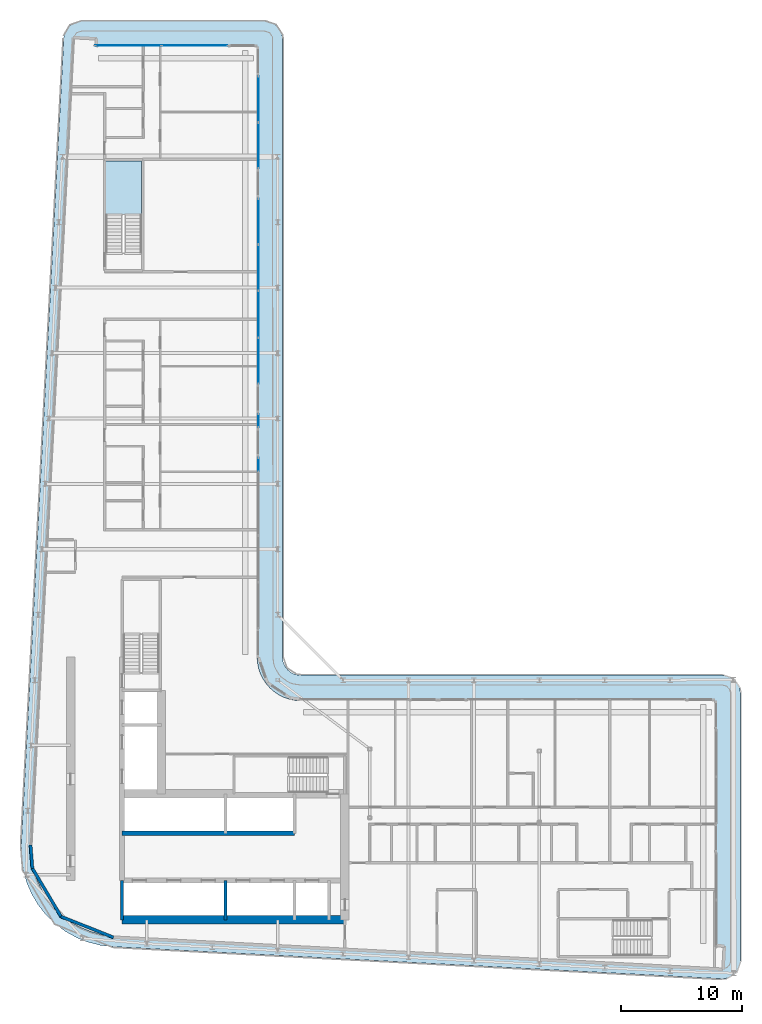
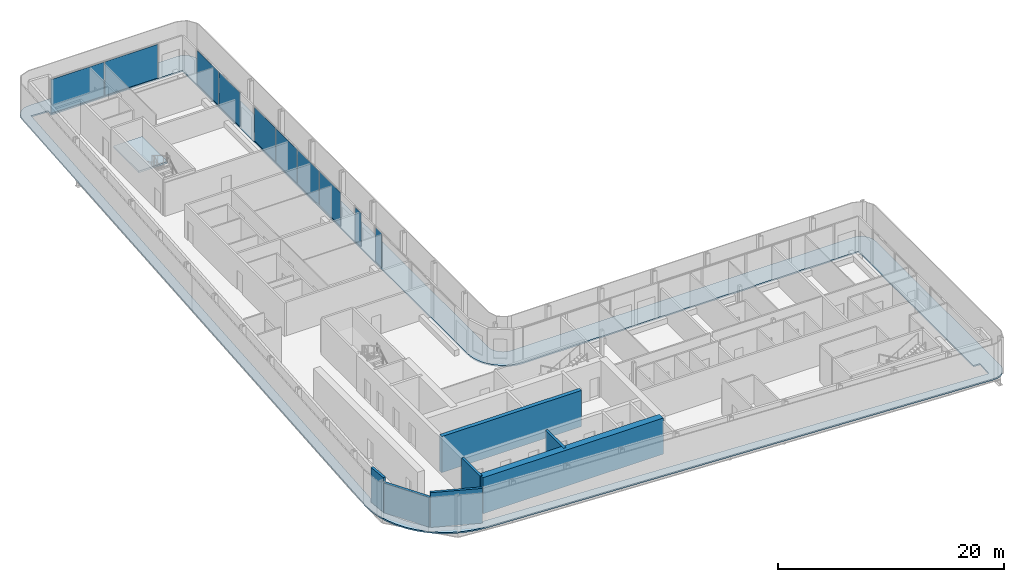
# One storey, part 9 of 22: 10 plates, 7 walls, 2 slabs, 7 elements without a shape of their own.
"""IFC4 building model written with IfcOpenShell, lengths in metres."""

from ifc_helpers import new_model, si_unit, direction, frame, frame_2d, origin, origin_2d, place, context, subcontext, project, spatial, polyline, rectangle, outline, extrude, material, layer, layer_set, type_object, element, aggregate, save


model = new_model("IFC4")

# Units and contexts
model_context = context("Model", 3, precision=1e-05, world=origin(), true_north=direction((0.0, 1.0)))
body_context = subcontext(model_context, "Body", "Model", "MODEL_VIEW")
ifc_project = project(units=[si_unit("LENGTHUNIT", "METRE"), si_unit("AREAUNIT", "SQUARE_METRE"), si_unit("VOLUMEUNIT", "CUBIC_METRE"), si_unit("PLANEANGLEUNIT", "RADIAN"), si_unit("MASSUNIT", "GRAM", prefix="KILO")], contexts=[model_context])

# Site, building, storey
site_placement = place(None, origin())
site = spatial("IfcSite", under=ifc_project, at=site_placement, CompositionType="ELEMENT")
building_placement = place(site_placement, origin())
building = spatial("IfcBuilding", under=site, at=building_placement, Name="Kheshtan School and Residences Tower", CompositionType="ELEMENT")
storey_placement = place(building_placement, frame((0.0, 0.0, 251.300048828125)))
storey = spatial("IfcBuildingStorey", under=building, at=storey_placement, Name="L59", CompositionType="ELEMENT", Elevation=251.300048828125)

# Curtain wall, plates
ifc_material_1 = material(Name="Clear low-e glass in thermally broken aluminium frame", Category="aluminium")
ifc_layer_1 = layer(ifc_material_1, 0.199951171875)
ifc_layer_set_1 = layer_set([ifc_layer_1], Name="Curtain wall CW-L")
curtain_wall_type = type_object("IfcCurtainWallType", Name="Curtain wall CW-L", PredefinedType="NOTDEFINED", material=ifc_layer_set_1)
curtain_wall_1_placement = place(storey_placement, origin())
curtain_wall_1 = element("IfcCurtainWall", 1, at=curtain_wall_1_placement, inside=storey, type_object=curtain_wall_type, Name="Curtain wall CWL7", PredefinedType="NOTDEFINED")
ifc_layer_2 = layer(ifc_material_1, 0.031982421875)
ifc_layer_set_2 = layer_set([ifc_layer_2], Name="CW-L glass panel")
plate_type = type_object("IfcPlateType", Name="CW-L glass panel", PredefinedType="CURTAIN_PANEL", material=ifc_layer_set_2)
plate_1_placement = place(storey_placement, frame((35.259033203125, 98.0, 0.0), z_axis=(0.0, 0.0, 1.0), x_axis=(1.0, 0.0, 0.0)))
plate_1 = element("IfcPlate", 2, at=plate_1_placement, type_object=plate_type, Name="CWL7 panel 1.1", PredefinedType="CURTAIN_PANEL", context=body_context, shape_type="SweptSolid", body=[
    extrude(rectangle(XDim=5.4140625, YDim=0.031982421875, at=origin_2d()), origin(), (0.0, 0.0, 1.0), 3.6298828125),
])
plate_2_placement = place(storey_placement, frame((40.73291015625, 98.0, 0.0), z_axis=(0.0, 0.0, 1.0), x_axis=(1.0, 0.0, 0.0)))
plate_2 = element("IfcPlate", 3, at=plate_2_placement, type_object=plate_type, Name="CWL7 panel 2.1", PredefinedType="CURTAIN_PANEL", context=body_context, shape_type="SweptSolid", body=[
    extrude(rectangle(XDim=5.4140625, YDim=0.031982421875, at=origin_2d()), origin(), (0.0, 0.0, 1.0), 3.6298828125),
])
aggregate(curtain_wall_1, [plate_1, plate_2])

curtain_wall_2_placement = place(storey_placement, origin())
curtain_wall_2 = element("IfcCurtainWall", 4, at=curtain_wall_2_placement, inside=storey, type_object=curtain_wall_type, Name="Curtain wall CWL8", PredefinedType="NOTDEFINED")
plate_3_placement = place(storey_placement, frame((46.0, 93.5615234375, 0.0), z_axis=(0.0, 0.0, 1.0), x_axis=(0.0, -1.0, 0.0)))
plate_3 = element("IfcPlate", 5, at=plate_3_placement, type_object=plate_type, Name="CWL8 panel 1.1", PredefinedType="CURTAIN_PANEL", context=body_context, shape_type="SweptSolid", body=[
    extrude(rectangle(XDim=3.757080078125, YDim=0.031982421875, at=origin_2d()), origin(), (0.0, 0.0, 1.0), 3.6298828125),
])
plate_4_placement = place(storey_placement, frame((46.0, 89.744384765625, 0.0), z_axis=(0.0, 0.0, 1.0), x_axis=(0.0, -1.0, 0.0)))
plate_4 = element("IfcPlate", 6, at=plate_4_placement, type_object=plate_type, Name="CWL8 panel 2.1", PredefinedType="CURTAIN_PANEL", context=body_context, shape_type="SweptSolid", body=[
    extrude(rectangle(XDim=3.757080078125, YDim=0.031982421875, at=origin_2d()), origin(), (0.0, 0.0, 1.0), 3.6298828125),
])
aggregate(curtain_wall_2, [plate_3, plate_4])

curtain_wall_3_placement = place(storey_placement, origin())
curtain_wall_3 = element("IfcCurtainWall", 7, at=curtain_wall_3_placement, inside=storey, type_object=curtain_wall_type, Name="Curtain wall CWL8", PredefinedType="NOTDEFINED")
plate_5_placement = place(storey_placement, frame((46.0, 83.467529296875, 0.0), z_axis=(0.0, 0.0, 1.0), x_axis=(0.0, -1.0, 0.0)))
plate_5 = element("IfcPlate", 8, at=plate_5_placement, type_object=plate_type, Name="CWL8 panel 1.1", PredefinedType="CURTAIN_PANEL", context=body_context, shape_type="SweptSolid", body=[
    extrude(rectangle(XDim=3.757080078125, YDim=0.031982421875, at=origin_2d()), origin(), (0.0, 0.0, 1.0), 3.6298828125),
])
plate_6_placement = place(storey_placement, frame((46.0, 79.650390625, 0.0), z_axis=(0.0, 0.0, 1.0), x_axis=(0.0, -1.0, 0.0)))
plate_6 = element("IfcPlate", 9, at=plate_6_placement, type_object=plate_type, Name="CWL8 panel 2.1", PredefinedType="CURTAIN_PANEL", context=body_context, shape_type="SweptSolid", body=[
    extrude(rectangle(XDim=3.757080078125, YDim=0.031982421875, at=origin_2d()), origin(), (0.0, 0.0, 1.0), 3.6298828125),
])
aggregate(curtain_wall_3, [plate_5, plate_6])

curtain_wall_4_placement = place(storey_placement, origin())
curtain_wall_4 = element("IfcCurtainWall", 10, at=curtain_wall_4_placement, inside=storey, type_object=curtain_wall_type, Name="Curtain wall CWL8", PredefinedType="NOTDEFINED")
plate_7_placement = place(storey_placement, frame((46.0, 75.803466796875, 0.0), z_axis=(0.0, 0.0, 1.0), x_axis=(0.0, -1.0, 0.0)))
plate_7 = element("IfcPlate", 11, at=plate_7_placement, type_object=plate_type, Name="CWL8 panel 1.1", PredefinedType="CURTAIN_PANEL", context=body_context, shape_type="SweptSolid", body=[
    extrude(rectangle(XDim=3.81689453125, YDim=0.031982421875, at=origin_2d()), origin(), (0.0, 0.0, 1.0), 3.6298828125),
])
plate_8_placement = place(storey_placement, frame((46.0, 71.95654296875, 0.0), z_axis=(0.0, 0.0, 1.0), x_axis=(0.0, -1.0, 0.0)))
plate_8 = element("IfcPlate", 12, at=plate_8_placement, type_object=plate_type, Name="CWL8 panel 2.1", PredefinedType="CURTAIN_PANEL", context=body_context, shape_type="SweptSolid", body=[
    extrude(rectangle(XDim=3.757080078125, YDim=0.031982421875, at=origin_2d()), origin(), (0.0, 0.0, 1.0), 3.6298828125),
])
aggregate(curtain_wall_4, [plate_7, plate_8])

# Curtain wall, plate
curtain_wall_5_placement = place(storey_placement, origin())
curtain_wall_5 = element("IfcCurtainWall", 13, at=curtain_wall_5_placement, inside=storey, type_object=curtain_wall_type, Name="Curtain wall CWL8g", PredefinedType="NOTDEFINED")
plate_9_placement = place(storey_placement, frame((46.0, 67.01806640625, 0.0), z_axis=(0.0, 0.0, 1.0), x_axis=(0.0, -1.0, 0.0)))
plate_9 = element("IfcPlate", 14, at=plate_9_placement, type_object=plate_type, Name="CWL8g panel 1.1", PredefinedType="CURTAIN_PANEL", context=body_context, shape_type="SweptSolid", body=[
    extrude(rectangle(XDim=1.080078125, YDim=0.031982421875, at=origin_2d()), origin(), (0.0, 0.0, 1.0), 3.6298828125),
])
aggregate(curtain_wall_5, [plate_9])

curtain_wall_6_placement = place(storey_placement, origin())
curtain_wall_6 = element("IfcCurtainWall", 15, at=curtain_wall_6_placement, inside=storey, type_object=curtain_wall_type, Name="Curtain wall CWL8k", PredefinedType="NOTDEFINED")
plate_10_placement = place(storey_placement, frame((46.0, 63.39404296875, 0.0), z_axis=(0.0, 0.0, 1.0), x_axis=(0.0, -1.0, 0.0)))
plate_10 = element("IfcPlate", 16, at=plate_10_placement, type_object=plate_type, Name="CWL8k panel 1.1", PredefinedType="CURTAIN_PANEL", context=body_context, shape_type="SweptSolid", body=[
    extrude(rectangle(XDim=1.1279296875, YDim=0.031982421875, at=origin_2d()), origin(), (0.0, 0.0, 1.0), 3.6298828125),
])
aggregate(curtain_wall_6, [plate_10])

# Slab
ifc_material_2 = material(Name="Concrete C40/50", Category="concrete")
ifc_layer_3 = layer(ifc_material_2, 0.14990234375)
ifc_layer_set_3 = layer_set([ifc_layer_3], Name="Loggia balcony slab 150 Concrete C40/50")
slab_type_1 = type_object("IfcSlabType", Name="Loggia balcony slab 150 Concrete C40/50", PredefinedType="FLOOR", material=ifc_layer_set_3)
slab_1_placement = place(storey_placement, frame((0.0, 0.0, -0.150146484375)))
element("IfcSlab", 17, at=slab_1_placement, inside=storey, type_object=slab_type_1, Name="Loggia balcony slab L59", PredefinedType="FLOOR", context=body_context, shape_type="SweptSolid", body=[
    extrude(outline(polyline([(28.4580078125, 26.222900390625), (28.45703125, 26.222900390625), (28.45703125, 26.22412109375), (28.4560546875, 26.22412109375), (27.81494140625, 27.0390625), (27.281005859375, 27.93798828125), (26.867919921875, 28.89990234375), (26.583984375, 29.89990234375), (26.583984375, 29.906982421875), (26.43408203125, 30.943115234375), (26.419921875, 31.989013671875), (29.925048828125, 98.5791015625), (29.930908203125, 98.626953125), (29.930908203125, 98.6279296875), (29.929931640625, 98.6279296875), (29.929931640625, 98.62890625), (29.928955078125, 98.62890625), (29.928955078125, 98.6298828125), (29.927978515625, 98.6298828125), (29.927978515625, 98.631103515625), (29.927001953125, 98.631103515625), (29.927001953125, 98.632080078125), (29.927001953125, 98.633056640625), (29.945068359375, 98.781005859375), (29.945068359375, 98.783935546875), (29.945068359375, 98.784912109375), (29.946044921875, 98.784912109375), (29.946044921875, 98.785888671875), (29.947021484375, 98.785888671875), (29.947021484375, 98.787109375), (29.947998046875, 98.787109375), (29.948974609375, 98.787109375), (29.948974609375, 98.7880859375), (29.949951171875, 98.7880859375), (29.949951171875, 98.7890625), (29.949951171875, 98.791015625), (30.0029296875, 98.98388671875), (30.083984375, 99.175048828125), (30.18896484375, 99.35302734375), (30.31103515625, 99.507080078125), (30.31201171875, 99.507080078125), (30.31201171875, 99.508056640625), (30.31298828125, 99.508056640625), (30.31298828125, 99.509033203125), (30.31396484375, 99.509033203125), (30.31396484375, 99.510009765625), (30.31494140625, 99.510009765625), (30.31494140625, 99.510986328125), (30.31591796875, 99.510986328125), (30.31591796875, 99.511962890625), (30.31689453125, 99.511962890625), (30.31689453125, 99.512939453125), (30.318115234375, 99.512939453125), (30.322021484375, 99.512939453125), (30.322998046875, 99.512939453125), (30.322998046875, 99.513916015625), (30.468017578125, 99.656982421875), (30.468994140625, 99.656982421875), (30.468994140625, 99.657958984375), (30.469970703125, 99.657958984375), (30.469970703125, 99.658935546875), (30.470947265625, 99.658935546875), (30.470947265625, 99.659912109375), (30.471923828125, 99.659912109375), (30.471923828125, 99.660888671875), (30.472900390625, 99.660888671875), (30.472900390625, 99.662109375), (30.47412109375, 99.662109375), (30.47412109375, 99.6630859375), (30.47509765625, 99.6630859375), (30.47509765625, 99.6640625), (30.635986328125, 99.777099609375), (30.820068359375, 99.873046875), (31.007080078125, 99.943115234375), (31.013916015625, 99.943115234375), (31.217041015625, 99.986083984375), (31.423095703125, 100.0), (46.5, 100.0), (46.696044921875, 99.987060546875), (46.887939453125, 99.948974609375), (46.89501953125, 99.948974609375), (47.073974609375, 99.885986328125), (47.242919921875, 99.801025390625), (47.243896484375, 99.801025390625), (47.2470703125, 99.801025390625), (47.248046875, 99.801025390625), (47.248046875, 99.802001953125), (47.2490234375, 99.802001953125), (47.2490234375, 99.802978515625), (47.25, 99.802978515625), (47.2529296875, 99.802978515625), (47.25390625, 99.802978515625), (47.25390625, 99.802001953125), (47.2548828125, 99.802001953125), (47.2548828125, 99.801025390625), (47.256103515625, 99.801025390625), (47.256103515625, 99.800048828125), (47.257080078125, 99.800048828125), (47.257080078125, 99.799072265625), (47.258056640625, 99.799072265625), (47.258056640625, 99.798095703125), (47.412109375, 99.696044921875), (47.4130859375, 99.696044921875), (47.4130859375, 99.695068359375), (47.4140625, 99.695068359375), (47.4140625, 99.694091796875), (47.4140625, 99.68994140625), (47.4140625, 99.68896484375), (47.4150390625, 99.68896484375), (47.4150390625, 99.68798828125), (47.416015625, 99.68798828125), (47.416015625, 99.68701171875), (47.4169921875, 99.68701171875), (47.4169921875, 99.68603515625), (47.554931640625, 99.568115234375), (47.554931640625, 99.56689453125), (47.555908203125, 99.56689453125), (47.555908203125, 99.56591796875), (47.556884765625, 99.56591796875), (47.556884765625, 99.56494140625), (47.55810546875, 99.56494140625), (47.55810546875, 99.56396484375), (47.55908203125, 99.56396484375), (47.55908203125, 99.56298828125), (47.56005859375, 99.56298828125), (47.56005859375, 99.56201171875), (47.56103515625, 99.56201171875), (47.56201171875, 99.56103515625), (47.56201171875, 99.56005859375), (47.56298828125, 99.56005859375), (47.56298828125, 99.55908203125), (47.56396484375, 99.55908203125), (47.56396484375, 99.55810546875), (47.56494140625, 99.55810546875), (47.56494140625, 99.556884765625), (47.56591796875, 99.556884765625), (47.56591796875, 99.555908203125), (47.56689453125, 99.555908203125), (47.56689453125, 99.554931640625), (47.568115234375, 99.554931640625), (47.68505859375, 99.41796875), (47.68603515625, 99.41796875), (47.68603515625, 99.4169921875), (47.68701171875, 99.4169921875), (47.68701171875, 99.416015625), (47.68798828125, 99.416015625), (47.68798828125, 99.4150390625), (47.68896484375, 99.4150390625), (47.68896484375, 99.4140625), (47.68994140625, 99.4140625), (47.694091796875, 99.4140625), (47.695068359375, 99.4140625), (47.695068359375, 99.4130859375), (47.696044921875, 99.4130859375), (47.696044921875, 99.412109375), (47.797119140625, 99.259033203125), (47.798095703125, 99.259033203125), (47.798095703125, 99.258056640625), (47.799072265625, 99.258056640625), (47.799072265625, 99.257080078125), (47.800048828125, 99.257080078125), (47.800048828125, 99.256103515625), (47.801025390625, 99.256103515625), (47.801025390625, 99.2548828125), (47.802001953125, 99.2548828125), (47.802001953125, 99.25390625), (47.802978515625, 99.25390625), (47.802978515625, 99.2529296875), (47.802978515625, 99.25), (47.802978515625, 99.2490234375), (47.802001953125, 99.2490234375), (47.802001953125, 99.248046875), (47.801025390625, 99.248046875), (47.801025390625, 99.2470703125), (47.801025390625, 99.242919921875), (47.801025390625, 99.241943359375), (47.885986328125, 99.073974609375), (47.948974609375, 98.89501953125), (47.948974609375, 98.887939453125), (47.987060546875, 98.696044921875), (48.0, 98.5), (48.0, 47.5), (48.012939453125, 47.303955078125), (48.051025390625, 47.113037109375), (48.051025390625, 47.10693359375), (48.051025390625, 47.10595703125), (48.114013671875, 46.926025390625), (48.200927734375, 46.75), (48.31005859375, 46.5869140625), (48.431884765625, 46.444091796875), (48.43310546875, 46.444091796875), (48.43310546875, 46.443115234375), (48.43408203125, 46.443115234375), (48.43408203125, 46.44189453125), (48.43505859375, 46.44189453125), (48.43505859375, 46.44091796875), (48.43603515625, 46.44091796875), (48.43603515625, 46.43994140625), (48.43701171875, 46.43994140625), (48.43701171875, 46.43896484375), (48.43798828125, 46.43896484375), (48.43896484375, 46.43798828125), (48.43896484375, 46.43701171875), (48.43994140625, 46.43701171875), (48.43994140625, 46.43603515625), (48.44091796875, 46.43603515625), (48.44091796875, 46.43505859375), (48.44189453125, 46.43505859375), (48.44189453125, 46.43408203125), (48.443115234375, 46.43408203125), (48.443115234375, 46.43310546875), (48.444091796875, 46.43310546875), (48.444091796875, 46.431884765625), (48.5869140625, 46.31005859375), (48.75, 46.200927734375), (48.926025390625, 46.114013671875), (49.10595703125, 46.051025390625), (49.10693359375, 46.051025390625), (49.113037109375, 46.051025390625), (49.303955078125, 46.012939453125), (49.5, 46.0), (84.300048828125, 46.0), (84.49609375, 45.987060546875), (84.68798828125, 45.948974609375), (84.695068359375, 45.948974609375), (84.8740234375, 45.885986328125), (85.0419921875, 45.801025390625), (85.04296875, 45.801025390625), (85.047119140625, 45.801025390625), (85.048095703125, 45.801025390625), (85.048095703125, 45.802001953125), (85.049072265625, 45.802001953125), (85.049072265625, 45.802978515625), (85.050048828125, 45.802978515625), (85.052978515625, 45.802978515625), (85.053955078125, 45.802978515625), (85.053955078125, 45.802001953125), (85.054931640625, 45.802001953125), (85.054931640625, 45.801025390625), (85.055908203125, 45.801025390625), (85.055908203125, 45.800048828125), (85.056884765625, 45.800048828125), (85.056884765625, 45.799072265625), (85.05810546875, 45.799072265625), (85.05810546875, 45.798095703125), (85.05908203125, 45.798095703125), (85.05908203125, 45.797119140625), (85.06005859375, 45.797119140625), (85.06005859375, 45.7958984375), (85.2119140625, 45.696044921875), (85.212890625, 45.696044921875), (85.212890625, 45.695068359375), (85.214111328125, 45.695068359375), (85.214111328125, 45.694091796875), (85.214111328125, 45.68994140625), (85.214111328125, 45.68896484375), (85.215087890625, 45.68896484375), (85.215087890625, 45.68798828125), (85.216064453125, 45.68798828125), (85.216064453125, 45.68701171875), (85.217041015625, 45.68701171875), (85.217041015625, 45.68603515625), (85.218017578125, 45.68603515625), (85.218017578125, 45.68505859375), (85.218994140625, 45.68505859375), (85.218994140625, 45.68408203125), (85.35498046875, 45.568115234375), (85.35498046875, 45.56689453125), (85.35595703125, 45.56689453125), (85.35595703125, 45.56591796875), (85.35693359375, 45.56591796875), (85.35693359375, 45.56494140625), (85.35791015625, 45.56494140625), (85.35791015625, 45.56396484375), (85.35888671875, 45.56396484375), (85.35888671875, 45.56298828125), (85.360107421875, 45.56298828125), (85.360107421875, 45.56201171875), (85.361083984375, 45.56201171875), (85.362060546875, 45.56103515625), (85.362060546875, 45.56005859375), (85.363037109375, 45.56005859375), (85.363037109375, 45.55908203125), (85.364013671875, 45.55908203125), (85.364013671875, 45.55810546875), (85.364990234375, 45.55810546875), (85.364990234375, 45.556884765625), (85.365966796875, 45.556884765625), (85.365966796875, 45.555908203125), (85.366943359375, 45.555908203125), (85.366943359375, 45.554931640625), (85.367919921875, 45.554931640625), (85.48193359375, 45.4208984375), (85.48291015625, 45.4208984375), (85.48291015625, 45.419921875), (85.48388671875, 45.419921875), (85.48388671875, 45.4189453125), (85.485107421875, 45.4189453125), (85.485107421875, 45.41796875), (85.486083984375, 45.41796875), (85.486083984375, 45.4169921875), (85.487060546875, 45.4169921875), (85.487060546875, 45.416015625), (85.488037109375, 45.416015625), (85.488037109375, 45.4150390625), (85.489013671875, 45.4150390625), (85.489013671875, 45.4140625), (85.489990234375, 45.4140625), (85.493896484375, 45.4140625), (85.4951171875, 45.4140625), (85.4951171875, 45.4130859375), (85.49609375, 45.4130859375), (85.49609375, 45.412109375), (85.593994140625, 45.261962890625), (85.594970703125, 45.261962890625), (85.594970703125, 45.260986328125), (85.595947265625, 45.260986328125), (85.595947265625, 45.260009765625), (85.596923828125, 45.260009765625), (85.596923828125, 45.259033203125), (85.597900390625, 45.259033203125), (85.597900390625, 45.258056640625), (85.59912109375, 45.258056640625), (85.59912109375, 45.257080078125), (85.60009765625, 45.257080078125), (85.60009765625, 45.256103515625), (85.60107421875, 45.256103515625), (85.60107421875, 45.2548828125), (85.60205078125, 45.2548828125), (85.60205078125, 45.25390625), (85.60302734375, 45.25390625), (85.60302734375, 45.2529296875), (85.60302734375, 45.25), (85.60302734375, 45.2490234375), (85.60205078125, 45.2490234375), (85.60205078125, 45.248046875), (85.60107421875, 45.248046875), (85.60107421875, 45.2470703125), (85.60107421875, 45.240966796875), (85.60107421875, 45.239990234375), (85.68603515625, 45.073974609375), (85.7490234375, 44.89501953125), (85.7490234375, 44.887939453125), (85.787109375, 44.696044921875), (85.800048828125, 44.5), (85.800048828125, 22.43408203125), (85.785888671875, 22.23095703125), (85.7451171875, 22.032958984375), (85.7451171875, 22.02587890625), (85.677978515625, 21.841064453125), (85.5859375, 21.660888671875), (85.470947265625, 21.49609375), (85.470947265625, 21.4951171875), (85.470947265625, 21.493896484375), (85.470947265625, 21.492919921875), (85.471923828125, 21.492919921875), (85.471923828125, 21.491943359375), (85.471923828125, 21.489990234375), (85.471923828125, 21.489013671875), (85.470947265625, 21.489013671875), (85.470947265625, 21.488037109375), (85.337890625, 21.343994140625), (85.3349609375, 21.341064453125), (85.333984375, 21.341064453125), (85.333984375, 21.340087890625), (85.3330078125, 21.340087890625), (85.3310546875, 21.340087890625), (85.330078125, 21.340087890625), (85.330078125, 21.341064453125), (85.3291015625, 21.341064453125), (85.327880859375, 21.341064453125), (85.326904296875, 21.341064453125), (85.176025390625, 21.216064453125), (85.00390625, 21.10888671875), (84.819091796875, 21.02587890625), (84.631103515625, 20.968994140625), (84.6240234375, 20.968994140625), (84.424072265625, 20.93896484375), (84.220947265625, 20.93603515625), (33.989013671875, 23.580078125), (33.94189453125, 23.5859375), (33.94091796875, 23.5859375), (33.93994140625, 23.5859375), (33.93994140625, 23.5849609375), (33.93896484375, 23.5849609375), (33.93896484375, 23.583984375), (33.93798828125, 23.583984375), (33.93798828125, 23.5830078125), (33.93701171875, 23.5830078125), (33.93701171875, 23.58203125), (33.93603515625, 23.58203125), (33.93505859375, 23.58203125), (32.952880859375, 23.697998046875), (32.949951171875, 23.697998046875), (32.948974609375, 23.697998046875), (32.948974609375, 23.698974609375), (32.947998046875, 23.698974609375), (32.947998046875, 23.699951171875), (32.947021484375, 23.699951171875), (32.947021484375, 23.700927734375), (32.947021484375, 23.702880859375), (32.947021484375, 23.7041015625), (32.946044921875, 23.7041015625), (32.946044921875, 23.705078125), (32.945068359375, 23.705078125), (32.944091796875, 23.705078125), (31.93603515625, 23.9609375), (31.928955078125, 23.9609375), (30.964111328125, 24.34912109375), (30.051025390625, 24.860107421875), (29.218994140625, 25.47900390625), (29.218994140625, 25.47998046875), (29.218017578125, 25.47998046875), (29.218017578125, 25.48095703125), (29.217041015625, 25.48095703125), (29.217041015625, 25.48193359375), (29.216064453125, 25.48193359375), (29.216064453125, 25.48291015625), (29.215087890625, 25.48291015625), (29.215087890625, 25.48388671875), (29.214111328125, 25.48388671875), (29.214111328125, 25.485107421875), (29.212890625, 25.485107421875), (29.212890625, 25.486083984375), (29.2119140625, 25.486083984375), (28.468017578125, 26.217041015625), (28.468017578125, 26.218017578125), (28.467041015625, 26.218017578125), (28.462890625, 26.218017578125), (28.4619140625, 26.218017578125), (28.4619140625, 26.218994140625), (28.4609375, 26.218994140625), (28.4609375, 26.219970703125), (28.4599609375, 26.219970703125), (28.4599609375, 26.220947265625), (28.458984375, 26.220947265625), (28.458984375, 26.221923828125), (28.4580078125, 26.221923828125), (28.4580078125, 26.222900390625)]), holes=[polyline([(29.12890625, 26.824951171875), (29.12890625, 26.823974609375), (29.1298828125, 26.823974609375), (29.1298828125, 26.822998046875), (29.131103515625, 26.822998046875), (29.131103515625, 26.822021484375), (29.132080078125, 26.822021484375), (29.132080078125, 26.821044921875), (29.133056640625, 26.821044921875), (29.133056640625, 26.820068359375), (29.134033203125, 26.820068359375), (29.7939453125, 26.173095703125), (29.7939453125, 26.172119140625), (29.794921875, 26.172119140625), (29.798095703125, 26.172119140625), (29.799072265625, 26.172119140625), (29.799072265625, 26.1708984375), (29.800048828125, 26.1708984375), (29.800048828125, 26.169921875), (29.801025390625, 26.169921875), (29.801025390625, 26.1689453125), (29.802001953125, 26.1689453125), (29.802001953125, 26.16796875), (29.802978515625, 26.16796875), (29.802978515625, 26.1669921875), (29.803955078125, 26.1669921875), (29.803955078125, 26.166015625), (30.541015625, 25.616943359375), (31.35205078125, 25.1630859375), (32.208984375, 24.819091796875), (32.2099609375, 24.819091796875), (32.216064453125, 24.819091796875), (33.114990234375, 24.590087890625), (34.06591796875, 24.47705078125), (84.238037109375, 21.8359375), (84.264892578125, 21.8369140625), (84.26611328125, 21.8369140625), (84.26708984375, 21.8369140625), (84.26708984375, 21.837890625), (84.26806640625, 21.837890625), (84.26806640625, 21.839111328125), (84.26806640625, 21.840087890625), (84.35791015625, 23.529052734375), (84.35791015625, 23.530029296875), (84.35791015625, 23.531005859375), (84.35693359375, 23.531005859375), (84.35693359375, 23.531982421875), (84.35595703125, 23.531982421875), (84.35498046875, 23.531982421875), (83.700927734375, 23.56689453125), (83.699951171875, 23.56689453125), (83.699951171875, 23.568115234375), (83.699951171875, 43.89794921875), (83.699951171875, 43.89892578125), (83.698974609375, 43.89892578125), (83.698974609375, 43.89990234375), (83.697998046875, 43.89990234375), (49.429931640625, 43.89990234375), (49.030029296875, 43.927001953125), (48.569091796875, 44.01806640625), (48.56201171875, 44.01806640625), (48.1201171875, 44.169921875), (47.697021484375, 44.37890625), (47.30810546875, 44.638916015625), (46.95703125, 44.944091796875), (46.95703125, 44.945068359375), (46.9560546875, 44.945068359375), (46.9560546875, 44.946044921875), (46.955078125, 44.946044921875), (46.955078125, 44.947021484375), (46.9541015625, 44.947021484375), (46.9541015625, 44.947998046875), (46.952880859375, 44.947998046875), (46.952880859375, 44.948974609375), (46.951904296875, 44.948974609375), (46.951904296875, 44.949951171875), (46.951904296875, 44.950927734375), (46.950927734375, 44.950927734375), (46.950927734375, 44.951904296875), (46.949951171875, 44.951904296875), (46.948974609375, 44.951904296875), (46.948974609375, 44.952880859375), (46.947998046875, 44.952880859375), (46.947998046875, 44.9541015625), (46.947021484375, 44.9541015625), (46.947021484375, 44.955078125), (46.946044921875, 44.955078125), (46.946044921875, 44.9560546875), (46.945068359375, 44.9560546875), (46.945068359375, 44.95703125), (46.944091796875, 44.95703125), (46.638916015625, 45.30810546875), (46.37890625, 45.697021484375), (46.169921875, 46.1201171875), (46.01806640625, 46.56201171875), (46.01806640625, 46.569091796875), (45.927001953125, 47.030029296875), (45.89990234375, 47.429931640625), (45.89990234375, 97.89794921875), (45.89990234375, 97.89892578125), (45.89892578125, 97.89892578125), (45.89892578125, 97.89990234375), (45.89794921875, 97.89990234375), (32.492919921875, 97.89990234375), (32.491943359375, 97.89990234375), (32.52099609375, 98.43896484375), (32.52099609375, 98.43994140625), (32.52099609375, 98.44091796875), (32.52001953125, 98.44091796875), (32.52001953125, 98.44189453125), (32.51904296875, 98.44189453125), (32.51806640625, 98.44189453125), (30.8291015625, 98.531982421875), (30.827880859375, 98.531982421875), (30.826904296875, 98.531982421875), (30.826904296875, 98.531005859375), (30.825927734375, 98.531005859375), (30.825927734375, 98.530029296875), (30.825927734375, 98.529052734375), (30.822021484375, 98.5009765625), (27.320068359375, 31.970947265625), (27.3330078125, 31.013916015625), (27.466064453125, 30.093994140625), (27.466064453125, 30.087890625), (27.466064453125, 30.0869140625), (27.718017578125, 29.200927734375), (28.0849609375, 28.345947265625), (28.55908203125, 27.550048828125), (29.126953125, 26.825927734375), (29.1279296875, 26.825927734375), (29.1279296875, 26.824951171875), (29.12890625, 26.824951171875)])]), origin(), (0.0, 0.0, 1.0), 0.150146484375),
])

# Stair, slab
stair_type = type_object("IfcStairType", Name="Exit stair, half-turn", PredefinedType="HALF_TURN_STAIR", material=ifc_material_2)
stair_placement = place(storey_placement, origin())
stair = element("IfcStair", 18, at=stair_placement, inside=storey, type_object=stair_type, Name="L59 Protected Exit Stair ST3", PredefinedType="HALF_TURN_STAIR")
ifc_layer_4 = layer(ifc_material_2, 0.199951171875)
ifc_layer_set_4 = layer_set([ifc_layer_4], Name="Stair landing 200 Concrete C40/50")
slab_type_2 = type_object("IfcSlabType", Name="Stair landing 200 Concrete C40/50", PredefinedType="LANDING", material=ifc_layer_set_4)
slab_2_placement = place(storey_placement, frame((0.0, 0.0, 1.75)))
slab_2 = element("IfcSlab", 19, at=slab_2_placement, type_object=slab_type_2, Name="ST3 landing 1", PredefinedType="LANDING", context=body_context, shape_type="SweptSolid", body=[
    extrude(outline(polyline([(36.35009765625, 83.97998046875), (36.35009765625, 88.4599609375), (33.39990234375, 88.4599609375), (33.39990234375, 83.97998046875), (36.35009765625, 83.97998046875)])), origin(), (0.0, 0.0, 1.0), 0.199951171875),
])
aggregate(stair, [slab_2])

# Walls
ifc_material_3 = material(Name="Concrete C50/60", Category="concrete")
ifc_layer_5 = layer(ifc_material_3, 0.39990234375)
ifc_layer_set_5 = layer_set([ifc_layer_5], Name="Core wall 400 Concrete C50/60")
wall_type_1 = type_object("IfcWallType", Name="Core wall 400 Concrete C50/60", PredefinedType="SHEAR", material=ifc_layer_set_5)
wall_1_placement = place(storey_placement, frame((34.75, 32.949951171875, 0.0), z_axis=(0.0, 0.0, 1.0), x_axis=(1.0, 0.0, 0.0)))
element("IfcWall", 20, at=wall_1_placement, inside=storey, type_object=wall_type_1, Name="Core wall CW-HALL-S2", PredefinedType="SHEAR", context=body_context, shape_type="SweptSolid", body=[
    extrude(rectangle(XDim=14.25, YDim=0.39990234375, at=frame_2d((7.125, 0.0))), origin(), (0.0, 0.0, 1.0), 3.89990234375),
])
ifc_material_4 = material(Name="Concrete C70/85", Category="concrete")
ifc_layer_6 = layer(ifc_material_4, 0.699951171875)
ifc_layer_set_6 = layer_set([ifc_layer_6], Name="Core wall 700 Concrete C70/85")
wall_type_2 = type_object("IfcWallType", Name="Core wall 700 Concrete C70/85", PredefinedType="SHEAR", material=ifc_layer_set_6)
wall_2_placement = place(storey_placement, frame((34.75, 25.800048828125, 0.0), z_axis=(0.0, 0.0, 1.0), x_axis=(1.0, 0.0, 0.0)))
element("IfcWall", 21, at=wall_2_placement, inside=storey, type_object=wall_type_2, Name="Core wall CW-REAR-S", PredefinedType="SHEAR", context=body_context, shape_type="SweptSolid", body=[
    extrude(rectangle(XDim=18.39990234375, YDim=0.699951171875, at=frame_2d((9.199951171875, 0.0))), origin(), (0.0, 0.0, 1.0), 3.89990234375),
])
ifc_material_5 = material(Name="Concrete C40/50 with ceramic cladding and mineral wool insulation", Category="concrete")
ifc_layer_7 = layer(ifc_material_5, 0.25)
ifc_layer_set_7 = layer_set([ifc_layer_7], Name="External wall 250 ceramic clad")
wall_type_3 = type_object("IfcWallType", Name="External wall 250 ceramic clad", PredefinedType="SOLIDWALL", material=ifc_layer_set_7)
wall_3_placement = place(storey_placement, frame((34.0390625, 24.35302734375, 0.0), z_axis=(0.0, 0.0, 1.0), x_axis=(-0.929352825399, 0.369192803184, 0.0)))
element("IfcWall", 22, at=wall_3_placement, inside=storey, type_object=wall_type_3, Name="External wall L59 1", PredefinedType="SOLIDWALL", context=body_context, shape_type="SweptSolid", body=[
    extrude(rectangle(XDim=4.656005859375, YDim=0.25, at=frame_2d((2.328125, 0.0))), origin(), (0.0, 0.0, 1.0), 3.75),
])
wall_4_placement = place(storey_placement, frame((29.7119140625, 26.072021484375, 0.0), z_axis=(0.0, 0.0, 1.0), x_axis=(-0.511028049012, 0.859564036662, 0.0)))
element("IfcWall", 23, at=wall_4_placement, inside=storey, type_object=wall_type_3, Name="External wall L59 2", PredefinedType="SOLIDWALL", context=body_context, shape_type="SweptSolid", body=[
    extrude(rectangle(XDim=4.633544921875, YDim=0.25, at=frame_2d((2.31689453125, 0.0))), origin(), (0.0, 0.0, 1.0), 3.217041015625),
])
wall_5_placement = place(storey_placement, frame((27.343994140625, 30.054931640625, 0.0), z_axis=(0.0, 0.0, 1.0), x_axis=(-0.077571675317, 0.99698677784, 0.0)))
element("IfcWall", 24, at=wall_5_placement, inside=storey, type_object=wall_type_3, Name="External wall L59 3", PredefinedType="SOLIDWALL", context=body_context, shape_type="SweptSolid", body=[
    extrude(rectangle(XDim=1.919921875, YDim=0.25, at=frame_2d((0.9599609375, 0.0))), origin(), (0.0, 0.0, 1.0), 3.75),
])
ifc_material_6 = material(Name="Fire-board shaft wall system")
ifc_layer_8 = layer(ifc_material_6, 0.25)
ifc_layer_set_8 = layer_set([ifc_layer_8], Name="Shaft lining wall 250")
wall_type_4 = type_object("IfcWallType", Name="Shaft lining wall 250", PredefinedType="PARTITIONING", material=ifc_layer_set_8)
for number, where, z_axis, x_axis, name in (
    (25, (34.75, 25.800048828125, 0.0), (0.0, 0.0, 1.0), (0.0, 1.0, 0.0), "Shaft lining wall"),
    (26, (43.300048828125, 25.800048828125, 0.0), (0.0, 0.0, 1.0), (0.0, 1.0, 0.0), "Shaft lining wall"),
):
    element("IfcWall", number, at=place(storey_placement, frame(where, z_axis=z_axis, x_axis=x_axis)), inside=storey, type_object=wall_type_4, Name=name, PredefinedType="PARTITIONING", context=body_context, shape_type="SweptSolid", body=[
        extrude(rectangle(XDim=3.25, YDim=0.25, at=frame_2d((1.625, 0.0))), origin(), (0.0, 0.0, 1.0), 3.89990234375),
    ])

save(model, "model.ifc")
